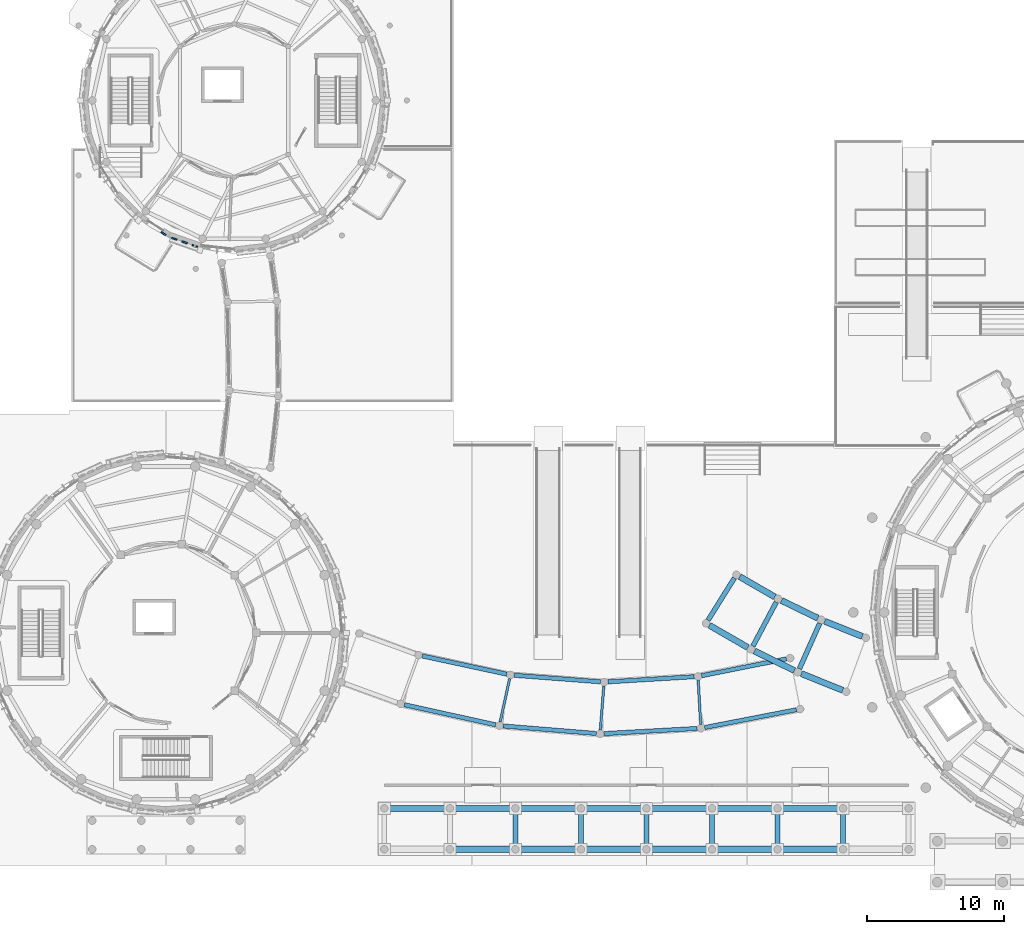
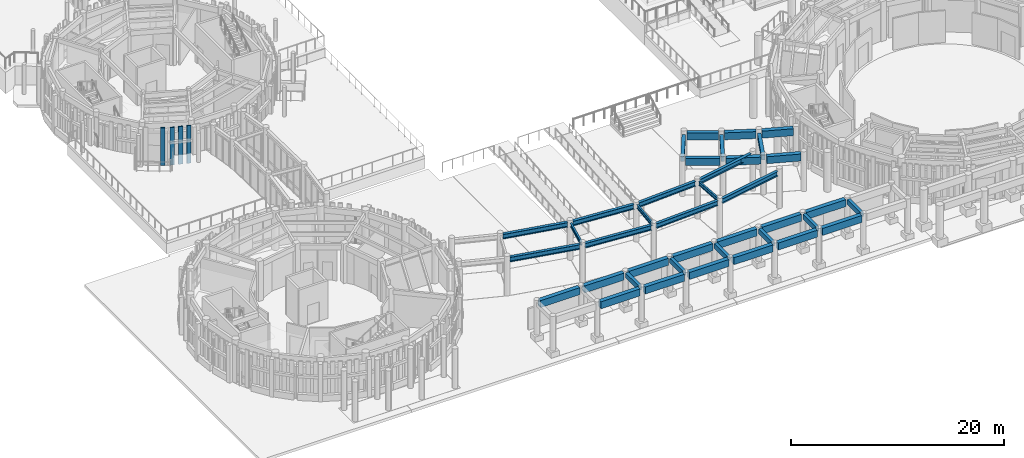
# One storey, part 9 of 94: 39 beams, 4 members.
"""IFC4 building model written with IfcOpenShell, lengths in metres."""

import ifcopenshell
import ifcopenshell.guid

model = None  # the IFC model being written
_history = None  # IfcOwnerHistory: only IFC2X3 demands one
_inside = {}  # id of a spatial element -> (the spatial element, [elements in it])
_under = {}  # id of a project, library or spatial element -> (it, [spatial elements below it])
_declared = {}  # id of a project -> (the project, [libraries it declares])
_typed = {}  # id of a type object -> (the type object, [elements of that type])
_made_of = {}  # id of a material, layer set ... -> (it, [elements and type objects made of it])


def new_model(schema):
    """Start an empty IFC model of exactly this schema.

    Asked for "IFC4X3", IfcOpenShell would pick the latest addendum, in which some entities
    have other attributes; the version numbers below select the first issue.
    IFC2X3 requires an IfcOwnerHistory on every rooted entity: one is made here for all.
    """
    global model, _history
    if schema == "IFC4X3":
        model = ifcopenshell.file(schema_version=(4, 3, 0, 0))
    else:
        model = ifcopenshell.file(schema=schema)
    _inside.clear()
    _under.clear()
    _declared.clear()
    _typed.clear()
    _made_of.clear()
    _history = None
    if model.schema == "IFC2X3":
        org = make("IfcOrganization", Name="unknown")
        user = make(
            "IfcPersonAndOrganization",
            ThePerson=make("IfcPerson", FamilyName="unknown"),
            TheOrganization=org,
        )
        app = make(
            "IfcApplication",
            ApplicationDeveloper=org,
            Version="unknown",
            ApplicationFullName="unknown",
            ApplicationIdentifier="unknown",
        )
        _history = make(
            "IfcOwnerHistory",
            OwningUser=user,
            OwningApplication=app,
            ChangeAction="ADDED",
            CreationDate=0,
        )
    return model


def make(cls, **values):
    """One entity of the class cls with the attributes given. An attribute that is None is left unset."""
    return model.create_entity(
        cls, **{name: value for name, value in values.items() if value is not None}
    )


def rooted(cls, **values):
    """An entity with a GlobalId (a new one), such as an element, a storey or a relation."""
    return make(cls, GlobalId=ifcopenshell.guid.new(), OwnerHistory=_history, **values)


def si_unit(unit_type, name, prefix=None):
    """IfcSIUnit, for example si_unit("LENGTHUNIT", "METRE", prefix="MILLI")."""
    return make("IfcSIUnit", UnitType=unit_type, Prefix=prefix, Name=name)


def assignment(units):
    """IfcUnitAssignment: the units of a project."""
    return None if units is None else make("IfcUnitAssignment", Units=units)


def point(xyz):
    """IfcCartesianPoint."""
    return None if xyz is None else make("IfcCartesianPoint", Coordinates=xyz)


def direction(xyz):
    """IfcDirection."""
    return None if xyz is None else make("IfcDirection", DirectionRatios=xyz)


def frame(location, z_axis=None, x_axis=None):
    """IfcAxis2Placement3D, a coordinate frame: its origin and axes. An axis left out is left unset."""
    return make(
        "IfcAxis2Placement3D",
        Location=point(location),
        Axis=direction(z_axis),
        RefDirection=direction(x_axis),
    )


def frame_2d(location, x_axis=None):
    """IfcAxis2Placement2D, a coordinate frame in the plane: its origin and x axis."""
    return make(
        "IfcAxis2Placement2D", Location=point(location), RefDirection=direction(x_axis)
    )


def origin():
    """The frame at (0, 0, 0) with its axes left unset."""
    return frame((0.0, 0.0, 0.0))


def origin_2d():
    """The frame at (0, 0) in the plane with its x axis left unset."""
    return frame_2d((0.0, 0.0))


def place(relative_to, where):
    """IfcLocalPlacement: puts the frame where relative to a parent placement (None: the world)."""
    return make(
        "IfcLocalPlacement", PlacementRelTo=relative_to, RelativePlacement=where
    )


def context(
    kind, dimensions, precision=None, world=None, true_north=None, identifier=None
):
    """IfcGeometricRepresentationContext, for example the 3D "Model" context."""
    return make(
        "IfcGeometricRepresentationContext",
        ContextIdentifier=identifier,
        ContextType=kind,
        CoordinateSpaceDimension=dimensions,
        Precision=precision,
        WorldCoordinateSystem=world,
        TrueNorth=true_north,
    )


def subcontext(parent, identifier, kind, view, scale=None):
    """IfcGeometricRepresentationSubContext, for example "Body" below "Model"."""
    return make(
        "IfcGeometricRepresentationSubContext",
        ContextIdentifier=identifier,
        ContextType=kind,
        ParentContext=parent,
        TargetScale=scale,
        TargetView=view,
    )


def project(units=None, contexts=None):
    """IfcProject with its units and contexts."""
    return rooted(
        "IfcProject",
        Name="project",
        RepresentationContexts=contexts,
        UnitsInContext=assignment(units),
    )


def spatial(cls, under=None, at=None, **own):
    """A site, building, storey or space (cls), placed at a placement, below another one or the project."""
    s = rooted(cls, ObjectPlacement=at, **own)
    if under is not None:
        _under.setdefault(under.id(), (under, []))[1].append(s)
    return s


def profile(cls, at=None, kind="AREA", **sizes):
    """A parametric profile (cls). Its sizes go by their IFC names, for example OverallWidth=200.0."""
    return make(cls, ProfileType=kind, Position=at, **sizes)


def rectangle(**sizes):
    """IfcRectangleProfileDef."""
    return profile("IfcRectangleProfileDef", **sizes)


def i_section(**sizes):
    """IfcIShapeProfileDef."""
    return profile("IfcIShapeProfileDef", **sizes)


def extrude(swept, where, along, depth):
    """IfcExtrudedAreaSolid: the profile swept, set in the frame where, extruded along a direction by depth."""
    return make(
        "IfcExtrudedAreaSolid",
        SweptArea=swept,
        Position=where,
        ExtrudedDirection=direction(along),
        Depth=depth,
    )


def shape(context_of_items, identifier, shape_type, items):
    """IfcShapeRepresentation: the items that make up one representation, for example the "Body"."""
    return make(
        "IfcShapeRepresentation",
        ContextOfItems=context_of_items,
        RepresentationIdentifier=identifier,
        RepresentationType=shape_type,
        Items=items,
    )


def material(Name=None, Category=None):
    """IfcMaterial."""
    return make("IfcMaterial", Name=Name, Category=Category)


def material_profile(
    of_material, cross_section, Name=None, Category=None, Priority=None
):
    """IfcMaterialProfile: a cross section and its material."""
    return make(
        "IfcMaterialProfile",
        Name=Name,
        Material=of_material,
        Profile=cross_section,
        Priority=Priority,
        Category=Category,
    )


def profile_set(profiles, Name=None, composite=None):
    """IfcMaterialProfileSet."""
    return make(
        "IfcMaterialProfileSet",
        Name=Name,
        MaterialProfiles=profiles,
        CompositeProfile=composite,
    )


def made_of(thing, what):
    """Note that an element or type object is made of a material, layer set ...; save() writes the relation."""
    if what is not None:
        _made_of.setdefault(what.id(), (what, []))[1].append(thing)
    return thing


def type_object(cls, material=None, **own):
    """A type object (cls), such as IfcWallType, which elements share."""
    return made_of(rooted(cls, **own), material)


def element(
    cls,
    number,
    at=None,
    inside=None,
    cuts=None,
    type_object=None,
    material=None,
    context=None,
    identifier="Body",
    shape_type=None,
    held_by="IfcProductDefinitionShape",
    body=None,
    shapes=None,
    **own,
):
    """One element of the class cls, such as IfcWall. Its Tag is "e" and its number.

    at: its placement. inside: the storey or other place that contains it. cuts: it is an
    opening in that element (IfcRelVoidsElement). A single representation is given by context,
    identifier, shape_type and body (its items); several are given by shapes. held_by: the class
    of the entity that holds the representations. save() writes the other relations.
    """
    e = rooted(cls, Tag="e%d" % number, ObjectPlacement=at, **own)
    if body is not None:
        shapes = [shape(context, identifier, shape_type, body)]
    if shapes is not None:
        e.Representation = make(held_by, Representations=shapes)
    if inside is not None:
        _inside.setdefault(inside.id(), (inside, []))[1].append(e)
    if cuts is not None:
        rooted(
            "IfcRelVoidsElement", RelatingBuildingElement=cuts, RelatedOpeningElement=e
        )
    if type_object is not None:
        _typed.setdefault(type_object.id(), (type_object, []))[1].append(e)
    return made_of(e, material)


def aggregate(whole, parts):
    """IfcRelAggregates: a whole, such as a stair, and the parts it consists of."""
    return rooted("IfcRelAggregates", RelatingObject=whole, RelatedObjects=parts)


def save(model, path):
    """Write the relations noted so far, then the file.

    IfcRelAggregates (storeys below a building ...), IfcRelContainedInSpatialStructure (elements
    in a storey), IfcRelDefinesByType, IfcRelAssociatesMaterial and IfcRelDeclares: one each for
    every whole, place, type object, material and project.
    """
    for whole, parts in _under.values():
        aggregate(whole, parts)
    for where, things in _inside.values():
        rooted(
            "IfcRelContainedInSpatialStructure",
            RelatedElements=things,
            RelatingStructure=where,
        )
    for kind, things in _typed.values():
        rooted("IfcRelDefinesByType", RelatedObjects=things, RelatingType=kind)
    for what, things in _made_of.values():
        rooted("IfcRelAssociatesMaterial", RelatedObjects=things, RelatingMaterial=what)
    for by, libraries in _declared.values():
        rooted("IfcRelDeclares", RelatingContext=by, RelatedDefinitions=libraries)
    model.write(path)


model = new_model("IFC4")

# Units and contexts
model_context = context("Model", 3, precision=1e-05, world=origin(), true_north=direction((0.0, 1.0)))
body_context = subcontext(model_context, "Body", "Model", "MODEL_VIEW")
ifc_project = project(units=[si_unit("LENGTHUNIT", "METRE"), si_unit("AREAUNIT", "SQUARE_METRE"), si_unit("VOLUMEUNIT", "CUBIC_METRE"), si_unit("PLANEANGLEUNIT", "RADIAN"), si_unit("MASSUNIT", "GRAM", prefix="KILO")], contexts=[model_context])

# Site, building, storey
site_placement = place(None, origin())
site = spatial("IfcSite", under=ifc_project, at=site_placement, CompositionType="ELEMENT")
building_placement = place(site_placement, origin())
building = spatial("IfcBuilding", under=site, at=building_placement, Name="Aldenvaro Health Centre", CompositionType="ELEMENT")
storey_placement = place(building_placement, origin())
storey = spatial("IfcBuildingStorey", under=building, at=storey_placement, Name="L00", CompositionType="ELEMENT", Elevation=0.0)

# Beams
ifc_material_1 = material(Name="Concrete f'c 40 MPa", Category="concrete")
ifc_material_profile_1 = material_profile(ifc_material_1, rectangle(XDim=0.35009765625, YDim=0.56005859375, at=origin_2d()), Name="RC 350x560", Category="concrete")
ifc_profile_set_1 = profile_set([ifc_material_profile_1], Name="Concrete f'c 40 MPa")
beam_type_1 = type_object("IfcBeamType", Name="BM-RC-560E", PredefinedType="JOIST", material=ifc_profile_set_1)
for number, where, z_axis, x_axis, name in (
    (1, (60.14599609375, 22.52490234375, 3.89990234375), (-0.529944821352, -0.848032125761, 0.0), (0.848032125761, -0.529944821352, 0.0), "Colonnade Transverse Beam 01"),
    (2, (63.2099609375, 20.756103515625, 3.89990234375), (-0.469601878876, -0.882878290228, 0.0), (0.882878290228, -0.469601878876, 0.0), "Colonnade Transverse Beam 02"),
):
    element("IfcBeam", number, at=place(storey_placement, frame(where, z_axis=z_axis, x_axis=x_axis)), inside=storey, type_object=beam_type_1, Name=name, PredefinedType="JOIST", context=body_context, shape_type="SweptSolid", body=[
        extrude(rectangle(XDim=0.35009765625, YDim=0.56005859375, at=origin_2d()), origin(), (0.0, 0.0, 1.0), 3.649658203125),
    ])
beam_1_placement = place(storey_placement, frame((66.387939453125, 19.2060546875, 3.89990234375), z_axis=(-0.406523187551, -0.913640464288, 0.0), x_axis=(0.913640464288, -0.406523187551, 0.0)))
element("IfcBeam", 3, at=beam_1_placement, inside=storey, type_object=beam_type_1, Name="Colonnade Transverse Beam 03", PredefinedType="JOIST", context=body_context, shape_type="SweptSolid", body=[
    extrude(rectangle(XDim=0.35009765625, YDim=0.56005859375, at=origin_2d()), origin(), (0.0, 0.0, 1.0), 3.650146484375),
])
for number, where, z_axis, x_axis, name in (
    (4, (44.10009765625, 2.925048828125, 4.1201171875), (0.0, 1.0, 0.0), (-1.0, 0.0, 0.0), "South Stoa W Transverse Beam L00-3"),
    (5, (48.89990234375, 2.925048828125, 4.1201171875), (0.0, 1.0, 0.0), (-1.0, 0.0, 0.0), "South Stoa W Transverse Beam L00-4"),
    (6, (53.699951171875, 2.925048828125, 4.1201171875), (0.0, 1.0, 0.0), (-1.0, 0.0, 0.0), "South Stoa W Transverse Beam L00-5"),
    (7, (58.5, 2.925048828125, 4.1201171875), (0.0, 1.0, 0.0), (-1.0, 0.0, 0.0), "South Stoa W Transverse Beam L00-6"),
    (8, (63.300048828125, 2.925048828125, 4.1201171875), (0.0, 1.0, 0.0), (-1.0, 0.0, 0.0), "South Stoa W Transverse Beam L00-7"),
    (9, (68.10009765625, 2.925048828125, 4.1201171875), (0.0, 1.0, 0.0), (-1.0, 0.0, 0.0), "South Stoa W Transverse Beam L00-8"),
):
    element("IfcBeam", number, at=place(storey_placement, frame(where, z_axis=z_axis, x_axis=x_axis)), inside=storey, type_object=beam_type_1, Name=name, PredefinedType="JOIST", context=body_context, shape_type="SweptSolid", body=[
        extrude(rectangle(XDim=0.35009765625, YDim=0.56005859375, at=origin_2d()), origin(), (0.0, 0.0, 1.0), 2.449951171875),
    ])
ifc_material_profile_2 = material_profile(ifc_material_1, rectangle(XDim=0.449951171875, YDim=0.800048828125, at=origin_2d()), Name="RC 450x800", Category="concrete")
ifc_profile_set_2 = profile_set([ifc_material_profile_2], Name="Concrete f'c 40 MPa")
beam_type_2 = type_object("IfcBeamType", Name="BM-RC-800", PredefinedType="SPANDREL", material=ifc_profile_set_2)
beam_2_placement = place(storey_placement, frame((60.530029296875, 22.62109375, 3.89990234375), z_axis=(0.86592126514, -0.500180330059, 0.0), x_axis=(0.500180330059, 0.86592126514, 0.0)))
element("IfcBeam", 10, at=beam_2_placement, inside=storey, type_object=beam_type_2, Name="Colonnade Architrave Beam IN 01", PredefinedType="SPANDREL", context=body_context, shape_type="SweptSolid", body=[
    extrude(rectangle(XDim=0.449951171875, YDim=0.800048828125, at=origin_2d()), origin(), (0.0, 0.0, 1.0), 2.96923828125),
])
beam_3_placement = place(storey_placement, frame((58.303955078125, 19.05908203125, 3.89990234375), z_axis=(0.866139473422, -0.499802373524, 0.0), x_axis=(0.499802373524, 0.866139473422, 0.0)))
element("IfcBeam", 11, at=beam_3_placement, inside=storey, type_object=beam_type_2, Name="Colonnade Architrave Beam OUT 01", PredefinedType="SPANDREL", context=body_context, shape_type="SweptSolid", body=[
    extrude(rectangle(XDim=0.449951171875, YDim=0.800048828125, at=origin_2d()), origin(), (0.0, 0.0, 1.0), 3.261474609375),
])
beam_4_placement = place(storey_placement, frame((63.5859375, 20.8779296875, 3.89990234375), z_axis=(0.898890989198, -0.438172328586, 0.0), x_axis=(0.438172328586, 0.898890989198, 0.0)))
element("IfcBeam", 12, at=beam_4_placement, inside=storey, type_object=beam_type_2, Name="Colonnade Architrave Beam IN 02", PredefinedType="SPANDREL", context=body_context, shape_type="SweptSolid", body=[
    extrude(rectangle(XDim=0.449951171875, YDim=0.800048828125, at=origin_2d()), origin(), (0.0, 0.0, 1.0), 2.967041015625),
])
beam_5_placement = place(storey_placement, frame((61.614013671875, 17.169921875, 3.89990234375), z_axis=(0.898859814594, -0.43823627612, 0.0), x_axis=(0.43823627612, 0.898859814594, 0.0)))
element("IfcBeam", 13, at=beam_5_placement, inside=storey, type_object=beam_type_2, Name="Colonnade Architrave Beam OUT 02", PredefinedType="SPANDREL", context=body_context, shape_type="SweptSolid", body=[
    extrude(rectangle(XDim=0.449951171875, YDim=0.800048828125, at=origin_2d()), origin(), (0.0, 0.0, 1.0), 3.2607421875),
])
beam_6_placement = place(storey_placement, frame((66.7548828125, 19.35400390625, 3.89990234375), z_axis=(0.927172074398, -0.374635749036, 0.0), x_axis=(0.374635749036, 0.927172074398, 0.0)))
element("IfcBeam", 14, at=beam_6_placement, inside=storey, type_object=beam_type_2, Name="Colonnade Architrave Beam IN 03", PredefinedType="SPANDREL", context=body_context, shape_type="SweptSolid", body=[
    extrude(rectangle(XDim=0.449951171875, YDim=0.800048828125, at=origin_2d()), origin(), (0.0, 0.0, 1.0), 2.96826171875),
])
beam_7_placement = place(storey_placement, frame((65.047119140625, 15.51708984375, 3.89990234375), z_axis=(0.927242836854, -0.374460574031, 0.0), x_axis=(0.374460574031, 0.927242836854, 0.0)))
element("IfcBeam", 15, at=beam_7_placement, inside=storey, type_object=beam_type_2, Name="Colonnade Architrave Beam OUT 03", PredefinedType="SPANDREL", context=body_context, shape_type="SweptSolid", body=[
    extrude(rectangle(XDim=0.449951171875, YDim=0.800048828125, at=origin_2d()), origin(), (0.0, 0.0, 1.0), 3.26123046875),
])
for number, where, z_axis, x_axis, name in (
    (16, (34.77490234375, 5.64990234375, 4.0), (1.0, 0.0, 0.0), (0.0, 1.0, 0.0), "South Stoa W Classical Architrave L00-1.2"),
    (17, (39.574951171875, 2.64990234375, 4.0), (1.0, 0.0, 0.0), (0.0, 1.0, 0.0), "South Stoa W Classical Architrave L00-2.1"),
    (18, (39.574951171875, 5.64990234375, 4.0), (1.0, 0.0, 0.0), (0.0, 1.0, 0.0), "South Stoa W Classical Architrave L00-2.2"),
    (19, (44.375, 2.64990234375, 4.0), (1.0, 0.0, 0.0), (0.0, 1.0, 0.0), "South Stoa W Classical Architrave L00-3.1"),
    (20, (44.375, 5.64990234375, 4.0), (1.0, 0.0, 0.0), (0.0, 1.0, 0.0), "South Stoa W Classical Architrave L00-3.2"),
    (21, (49.175048828125, 2.64990234375, 4.0), (1.0, 0.0, 0.0), (0.0, 1.0, 0.0), "South Stoa W Classical Architrave L00-4.1"),
    (22, (49.175048828125, 5.64990234375, 4.0), (1.0, 0.0, 0.0), (0.0, 1.0, 0.0), "South Stoa W Classical Architrave L00-4.2"),
    (23, (53.97509765625, 2.64990234375, 4.0), (1.0, 0.0, 0.0), (0.0, 1.0, 0.0), "South Stoa W Classical Architrave L00-5.1"),
    (24, (53.97509765625, 5.64990234375, 4.0), (1.0, 0.0, 0.0), (0.0, 1.0, 0.0), "South Stoa W Classical Architrave L00-5.2"),
    (25, (58.77490234375, 2.64990234375, 4.0), (1.0, 0.0, 0.0), (0.0, 1.0, 0.0), "South Stoa W Classical Architrave L00-6.1"),
    (26, (58.77490234375, 5.64990234375, 4.0), (1.0, 0.0, 0.0), (0.0, 1.0, 0.0), "South Stoa W Classical Architrave L00-6.2"),
    (27, (63.574951171875, 2.64990234375, 4.0), (1.0, 0.0, 0.0), (0.0, 1.0, 0.0), "South Stoa W Classical Architrave L00-7.1"),
    (28, (63.574951171875, 5.64990234375, 4.0), (1.0, 0.0, 0.0), (0.0, 1.0, 0.0), "South Stoa W Classical Architrave L00-7.2"),
):
    element("IfcBeam", number, at=place(storey_placement, frame(where, z_axis=z_axis, x_axis=x_axis)), inside=storey, type_object=beam_type_2, Name=name, PredefinedType="SPANDREL", context=body_context, shape_type="SweptSolid", body=[
        extrude(rectangle(XDim=0.449951171875, YDim=0.800048828125, at=origin_2d()), origin(), (0.0, 0.0, 1.0), 4.25),
    ])
ifc_material_2 = material(Name="Steel ASTM A992 Grade 50", Category="steel")
ifc_material_profile_3 = material_profile(ifc_material_2, i_section(OverallWidth=0.180908203125, OverallDepth=0.4169921875, WebThickness=0.010986328125, FlangeThickness=0.018310546875, at=origin_2d()), Name="W16X57", Category="steel")
ifc_profile_set_3 = profile_set([ifc_material_profile_3], Name="Steel ASTM A992 Grade 50")
beam_type_3 = type_object("IfcBeamType", Name="BM-ST-W16E", PredefinedType="JOIST", material=ifc_profile_set_3)
beam_8_placement = place(storey_placement, frame((43.677001953125, 15.14990234375, 4.091064453125), z_axis=(-0.21299749832, -0.977052744589, 0.0), x_axis=(0.977052744589, -0.21299749832, 0.0)))
element("IfcBeam", 29, at=beam_8_placement, inside=storey, type_object=beam_type_3, Name="South West Curved Peristyle Walkway Arc 2 L00 cross beam 2", PredefinedType="JOIST", context=body_context, shape_type="SweptSolid", body=[
    extrude(i_section(OverallWidth=0.180908203125, OverallDepth=0.4169921875, WebThickness=0.010986328125, FlangeThickness=0.018310546875, at=origin_2d()), origin(), (0.0, 0.0, 1.0), 3.248291015625),
])
beam_9_placement = place(storey_placement, frame((50.576904296875, 14.623046875, 4.091064453125), z_axis=(-0.078126830306, -0.996943427877, 0.0), x_axis=(0.996943427877, -0.078126830306, 0.0)))
element("IfcBeam", 30, at=beam_9_placement, inside=storey, type_object=beam_type_3, Name="South West Curved Peristyle Walkway Arc 3 L00 cross beam 2", PredefinedType="JOIST", context=body_context, shape_type="SweptSolid", body=[
    extrude(i_section(OverallWidth=0.180908203125, OverallDepth=0.4169921875, WebThickness=0.010986328125, FlangeThickness=0.018310546875, at=origin_2d()), origin(), (0.0, 0.0, 1.0), 3.25),
])
beam_10_placement = place(storey_placement, frame((57.487060546875, 15.035888671875, 4.091064453125), z_axis=(0.057255211564, -0.998359574877, 0.0), x_axis=(0.998359574877, 0.057255211564, 0.0)))
element("IfcBeam", 31, at=beam_10_placement, inside=storey, type_object=beam_type_3, Name="South West Curved Peristyle Walkway Arc 4 L00 cross beam 2", PredefinedType="JOIST", context=body_context, shape_type="SweptSolid", body=[
    extrude(i_section(OverallWidth=0.180908203125, OverallDepth=0.4169921875, WebThickness=0.010986328125, FlangeThickness=0.018310546875, at=origin_2d()), origin(), (0.0, 0.0, 1.0), 3.249267578125),
])
ifc_material_profile_4 = material_profile(ifc_material_2, i_section(OverallWidth=0.31201171875, OverallDepth=0.54296875, WebThickness=0.0126953125, FlangeThickness=0.020263671875, at=origin_2d()), Name="W21X101", Category="steel")
ifc_profile_set_4 = profile_set([ifc_material_profile_4], Name="Steel ASTM A992 Grade 50")
beam_type_4 = type_object("IfcBeamType", Name="BM-ST-W21E", PredefinedType="BEAM", material=ifc_profile_set_4)
beam_11_placement = place(storey_placement, frame((37.27490234375, 16.81103515625, 4.029052734375), z_axis=(0.97757225988, -0.210600277096, 0.0), x_axis=(0.210600277096, 0.97757225988, 0.0)))
element("IfcBeam", 32, at=beam_11_placement, inside=storey, type_object=beam_type_4, Name="South West Curved Peristyle Walkway Arc 2 L00 girder L-1", PredefinedType="BEAM", context=body_context, shape_type="SweptSolid", body=[
    extrude(i_section(OverallWidth=0.31201171875, OverallDepth=0.54296875, WebThickness=0.0126953125, FlangeThickness=0.020263671875, at=origin_2d()), origin(), (0.0, 0.0, 1.0), 6.334228515625),
])
beam_12_placement = place(storey_placement, frame((35.968994140625, 13.241943359375, 4.029052734375), z_axis=(0.97650723002, -0.215484639172, 0.0), x_axis=(0.215484639172, 0.97650723002, 0.0)))
element("IfcBeam", 33, at=beam_12_placement, inside=storey, type_object=beam_type_4, Name="South West Curved Peristyle Walkway Arc 2 L00 girder R-1", PredefinedType="BEAM", context=body_context, shape_type="SweptSolid", body=[
    extrude(i_section(OverallWidth=0.31201171875, OverallDepth=0.54296875, WebThickness=0.0126953125, FlangeThickness=0.020263671875, at=origin_2d()), origin(), (0.0, 0.0, 1.0), 6.848876953125),
])
beam_13_placement = place(storey_placement, frame((44.010009765625, 15.39794921875, 4.029052734375), z_axis=(0.997123914893, -0.075788510658, 0.0), x_axis=(0.075788510658, 0.997123914893, 0.0)))
element("IfcBeam", 34, at=beam_13_placement, inside=storey, type_object=beam_type_4, Name="South West Curved Peristyle Walkway Arc 3 L00 girder L-1", PredefinedType="BEAM", context=body_context, shape_type="SweptSolid", body=[
    extrude(i_section(OverallWidth=0.31201171875, OverallDepth=0.54296875, WebThickness=0.0126953125, FlangeThickness=0.020263671875, at=origin_2d()), origin(), (0.0, 0.0, 1.0), 6.333251953125),
])
beam_14_placement = place(storey_placement, frame((43.199951171875, 11.68505859375, 4.029052734375), z_axis=(0.996724312957, -0.080874247822, 0.0), x_axis=(0.080874247822, 0.996724312957, 0.0)))
element("IfcBeam", 35, at=beam_14_placement, inside=storey, type_object=beam_type_4, Name="South West Curved Peristyle Walkway Arc 3 L00 girder R-1", PredefinedType="BEAM", context=body_context, shape_type="SweptSolid", body=[
    extrude(i_section(OverallWidth=0.31201171875, OverallDepth=0.54296875, WebThickness=0.0126953125, FlangeThickness=0.020263671875, at=origin_2d()), origin(), (0.0, 0.0, 1.0), 6.849609375),
])
beam_15_placement = place(storey_placement, frame((50.8740234375, 14.9140625, 4.029052734375), z_axis=(0.998199541019, 0.05998063278, 0.0), x_axis=(-0.05998063278, 0.998199541019, 0.0)))
element("IfcBeam", 36, at=beam_15_placement, inside=storey, type_object=beam_type_4, Name="South West Curved Peristyle Walkway Arc 4 L00 girder L-1", PredefinedType="BEAM", context=body_context, shape_type="SweptSolid", body=[
    extrude(i_section(OverallWidth=0.31201171875, OverallDepth=0.54296875, WebThickness=0.0126953125, FlangeThickness=0.020263671875, at=origin_2d()), origin(), (0.0, 0.0, 1.0), 6.33349609375),
])
beam_16_placement = place(storey_placement, frame((50.575927734375, 11.1240234375, 4.029052734375), z_axis=(0.998476216837, 0.055183733217, 0.0), x_axis=(-0.055183733217, 0.998476216837, 0.0)))
element("IfcBeam", 37, at=beam_16_placement, inside=storey, type_object=beam_type_4, Name="South West Curved Peristyle Walkway Arc 4 L00 girder R-1", PredefinedType="BEAM", context=body_context, shape_type="SweptSolid", body=[
    extrude(i_section(OverallWidth=0.31201171875, OverallDepth=0.54296875, WebThickness=0.0126953125, FlangeThickness=0.020263671875, at=origin_2d()), origin(), (0.0, 0.0, 1.0), 6.8486328125),
])
beam_17_placement = place(storey_placement, frame((57.740966796875, 15.364990234375, 4.029052734375), z_axis=(0.98082458488, 0.194892620934, 0.0), x_axis=(-0.194892620934, 0.98082458488, 0.0)))
element("IfcBeam", 38, at=beam_17_placement, inside=storey, type_object=beam_type_4, Name="South West Curved Peristyle Walkway Arc 5 L00 girder L-1", PredefinedType="BEAM", context=body_context, shape_type="SweptSolid", body=[
    extrude(i_section(OverallWidth=0.31201171875, OverallDepth=0.54296875, WebThickness=0.0126953125, FlangeThickness=0.020263671875, at=origin_2d()), origin(), (0.0, 0.0, 1.0), 6.332275390625),
])
beam_18_placement = place(storey_placement, frame((57.958984375, 11.569091796875, 4.029052734375), z_axis=(0.981716525026, 0.190348796927, 0.0), x_axis=(-0.190348796927, 0.981716525026, 0.0)))
element("IfcBeam", 39, at=beam_18_placement, inside=storey, type_object=beam_type_4, Name="South West Curved Peristyle Walkway Arc 5 L00 girder R-1", PredefinedType="BEAM", context=body_context, shape_type="SweptSolid", body=[
    extrude(i_section(OverallWidth=0.31201171875, OverallDepth=0.54296875, WebThickness=0.0126953125, FlangeThickness=0.020263671875, at=origin_2d()), origin(), (0.0, 0.0, 1.0), 6.850341796875),
])

# Members
ifc_material_3 = material(Name="Glulam GL28h", Category="wood")
ifc_material_profile_5 = material_profile(ifc_material_3, rectangle(XDim=0.114990234375, YDim=0.419921875, at=origin_2d()), Name="GL 115x420", Category="wood")
ifc_profile_set_5 = profile_set([ifc_material_profile_5], Name="Glulam GL28h")
member_type_1 = type_object("IfcMemberType", Name="MEM-SLT-420A", PredefinedType="POST", material=ifc_profile_set_5)
for number, where, z_axis, x_axis, name in (
    (40, (20.62109375, 46.846923828125, 0.0), (0.0, 0.0, 1.0), (-0.330204431323, -0.943909441385, 0.0), "D3 L00 vertical timber slat 9.1"),
    (41, (19.110107421875, 47.375, 0.0), (0.0, 0.0, 1.0), (-0.330204431323, -0.943909441385, 0.0), "D3 L00 vertical timber slat 9.3"),
):
    element("IfcMember", number, at=place(storey_placement, frame(where, z_axis=z_axis, x_axis=x_axis)), inside=storey, type_object=member_type_1, Name=name, PredefinedType="POST", context=body_context, shape_type="SweptSolid", body=[
        extrude(rectangle(XDim=0.114990234375, YDim=0.419921875, at=origin_2d()), origin(), (0.0, 0.0, 1.0), 4.304931640625),
    ])
ifc_material_profile_6 = material_profile(ifc_material_3, rectangle(XDim=0.1298828125, YDim=0.419921875, at=origin_2d()), Name="GL 130x420", Category="wood")
ifc_profile_set_6 = profile_set([ifc_material_profile_6], Name="Glulam GL28h")
member_type_2 = type_object("IfcMemberType", Name="MEM-SLT-420B", PredefinedType="POST", material=ifc_profile_set_6)
for number, where, z_axis, x_axis, name in (
    (42, (19.864990234375, 47.111083984375, 0.0), (0.0, 0.0, 1.0), (-0.330204431323, -0.943909441385, 0.0), "D3 L00 vertical timber slat 9.2"),
    (43, (18.322021484375, 47.75390625, 0.0), (0.0, 0.0, 1.0), (-0.532096042675, -0.846684003256, 0.0), "D3 L00 vertical timber slat 10.1"),
):
    element("IfcMember", number, at=place(storey_placement, frame(where, z_axis=z_axis, x_axis=x_axis)), inside=storey, type_object=member_type_2, Name=name, PredefinedType="POST", context=body_context, shape_type="SweptSolid", body=[
        extrude(rectangle(XDim=0.1298828125, YDim=0.419921875, at=origin_2d()), origin(), (0.0, 0.0, 1.0), 4.304931640625),
    ])

save(model, "model.ifc")
